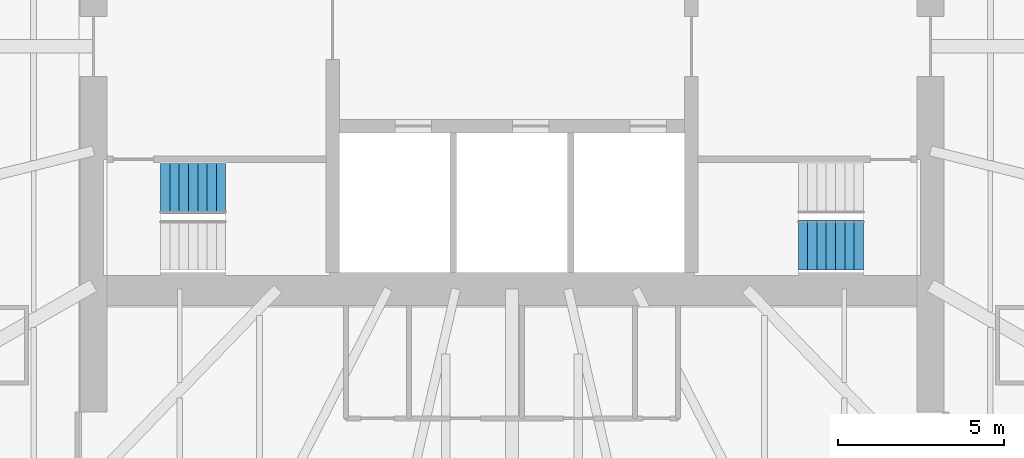
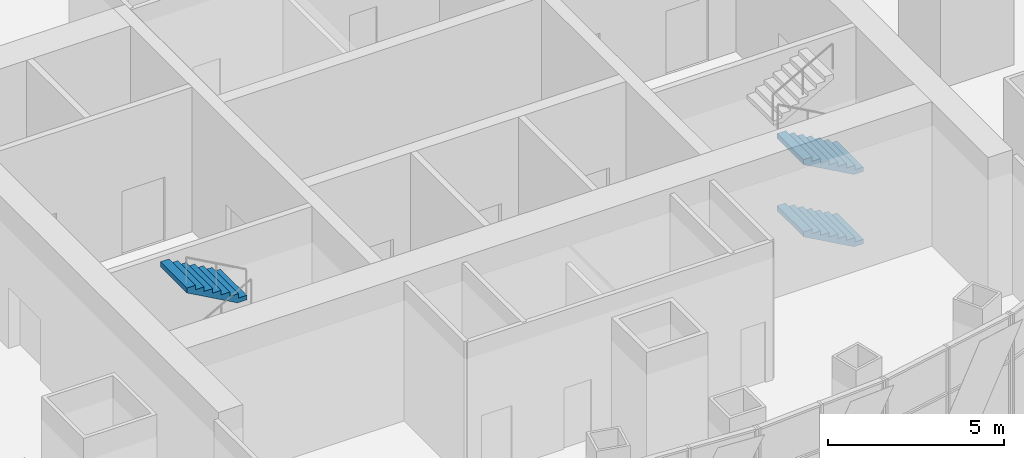
# One storey, part 15 of 17: 3 stair flights, 2 elements without a shape of their own.
"""IFC4 building model written with IfcOpenShell, lengths in metres."""

from ifc_helpers import new_model, si_unit, direction, frame, origin, place, context, subcontext, project, spatial, triangles, material, type_object, element, aggregate, save


model = new_model("IFC4")

# Units and contexts
model_context = context("Model", 3, precision=1e-05, world=origin(), true_north=direction((0.0, 1.0)))
body_context = subcontext(model_context, "Body", "Model", "MODEL_VIEW")
ifc_project = project(units=[si_unit("LENGTHUNIT", "METRE"), si_unit("AREAUNIT", "SQUARE_METRE"), si_unit("VOLUMEUNIT", "CUBIC_METRE"), si_unit("PLANEANGLEUNIT", "RADIAN"), si_unit("MASSUNIT", "GRAM", prefix="KILO")], contexts=[model_context])

# Site, building, storey
site_placement = place(None, origin())
site = spatial("IfcSite", under=ifc_project, at=site_placement, CompositionType="ELEMENT")
building_placement = place(site_placement, origin())
building = spatial("IfcBuilding", under=site, at=building_placement, Name="Lantaw Convention Tower", CompositionType="ELEMENT")
storey_placement = place(building_placement, frame((0.0, 0.0, 279.39990234375)))
storey = spatial("IfcBuildingStorey", under=building, at=storey_placement, Name="L65", CompositionType="ELEMENT", Elevation=279.39990234375)

# Stair, stair flight
ifc_material = material(Name="Concrete C35/45", Category="concrete")
stair_type = type_object("IfcStairType", Name="Exit stair 1500 riser 156.25 in 4 flights", PredefinedType="HALF_TURN_STAIR", material=ifc_material)
stair_1_placement = place(storey_placement, origin())
stair_1 = element("IfcStair", 1, at=stair_1_placement, inside=storey, type_object=stair_type, Name="Exit stair S1 L65", PredefinedType="HALF_TURN_STAIR")
stair_flight_type = type_object("IfcStairFlightType", Name="Stair flight 1500 riser 156.25", PredefinedType="STRAIGHT", material=ifc_material)
stair_flight_1_placement = place(storey_placement, frame((-8.6201171875, -4.280029296875, 3.75), z_axis=(0.0, 0.0, 1.0), x_axis=(-1.0, 0.0, 0.0)))
stair_flight_1 = element("IfcStairFlight", 2, at=stair_flight_1_placement, type_object=stair_flight_type, Name="S1 flight 4", NumberOfRisers=8, NumberOfTreads=7, PredefinedType="STRAIGHT", RiserHeight=0.15625, TreadLength=0.28, context=body_context, shape_type="Tessellation", body=[
    triangles([(0.0, 0.75, 0.0), (0.0, 0.75, 0.15625), (0.28, 0.75, 0.0), (0.28, 0.75, 0.15625), (0.28, 0.75, 0.3125), (0.3076200632058044, 0.75, 0.0), (0.3076200632058044, 0.75, 0.3125), (0.56, 0.75, 0.14083701830033238), (0.56, 0.75, 0.3125), (0.56, 0.75, 0.46875), (0.8400000000000001, 0.75, 0.29708701830033235), (0.8400000000000001, 0.75, 0.46875), (0.8400000000000001, 0.75, 0.625), (1.12, 0.75, 0.45333701830033235), (1.12, 0.75, 0.625), (1.12, 0.75, 0.78125), (1.4000000000000001, 0.75, 0.6095870183003324), (1.4000000000000001, 0.75, 0.78125), (1.4000000000000001, 0.75, 0.9375), (1.6800000000000002, 0.75, 0.7658370183003324), (1.6800000000000002, 0.75, 0.9375), (1.6800000000000002, 0.75, 1.09375), (1.9600000000000002, 0.75, 0.9220870183003324), (1.9600000000000002, 0.75, 1.09375), (0.0, -0.75, 0.0), (0.0, -0.75, 0.15625), (0.28, -0.75, 0.0), (0.28, -0.75, 0.15625), (0.28, -0.75, 0.3125), (0.3076200632058044, -0.75, 0.0), (0.3076200632058044, -0.75, 0.3125), (0.56, -0.75, 0.14083701830033238), (0.56, -0.75, 0.3125), (0.56, -0.75, 0.46875), (0.8400000000000001, -0.75, 0.29708701830033235), (0.8400000000000001, -0.75, 0.46875), (0.8400000000000001, -0.75, 0.625), (1.12, -0.75, 0.45333701830033235), (1.12, -0.75, 0.625), (1.12, -0.75, 0.78125), (1.4000000000000001, -0.75, 0.6095870183003324), (1.4000000000000001, -0.75, 0.78125), (1.4000000000000001, -0.75, 0.9375), (1.6800000000000002, -0.75, 0.7658370183003324), (1.6800000000000002, -0.75, 0.9375), (1.6800000000000002, -0.75, 1.09375), (1.9600000000000002, -0.75, 0.9220870183003324), (1.9600000000000002, -0.75, 1.09375), (0.0, 0.15000000000000002, 0.15625), (0.0, 0.15000000000000002, 0.0), (0.0, 0.0, 0.15625), (0.0, 0.0, 0.0), (0.0, -0.15000000000000002, 0.15625), (0.0, -0.15000000000000002, 0.0), (0.28, 0.15000000000000002, 0.3125), (0.28, 0.15000000000000002, 0.15625), (0.28, 0.0, 0.3125), (0.28, 0.0, 0.15625), (0.28, -0.15000000000000002, 0.3125), (0.28, -0.15000000000000002, 0.15625), (0.56, 0.15000000000000002, 0.46875), (0.56, 0.15000000000000002, 0.3125), (0.56, 0.0, 0.46875), (0.56, 0.0, 0.3125), (0.56, -0.15000000000000002, 0.46875), (0.56, -0.15000000000000002, 0.3125), (0.8400000000000001, 0.15000000000000002, 0.625), (0.8400000000000001, 0.15000000000000002, 0.46875), (0.8400000000000001, 0.0, 0.625), (0.8400000000000001, 0.0, 0.46875), (0.8400000000000001, -0.15000000000000002, 0.625), (0.8400000000000001, -0.15000000000000002, 0.46875), (1.12, 0.15000000000000002, 0.78125), (1.12, 0.15000000000000002, 0.625), (1.12, 0.0, 0.78125), (1.12, 0.0, 0.625), (1.12, -0.15000000000000002, 0.78125), (1.12, -0.15000000000000002, 0.625), (1.4000000000000001, 0.15000000000000002, 0.9375), (1.4000000000000001, 0.15000000000000002, 0.78125), (1.4000000000000001, 0.0, 0.9375), (1.4000000000000001, 0.0, 0.78125), (1.4000000000000001, -0.15000000000000002, 0.9375), (1.4000000000000001, -0.15000000000000002, 0.78125), (1.6800000000000002, 0.15000000000000002, 1.09375), (1.6800000000000002, 0.15000000000000002, 0.9375), (1.6800000000000002, 0.0, 1.09375), (1.6800000000000002, 0.0, 0.9375), (1.6800000000000002, -0.15000000000000002, 1.09375), (1.6800000000000002, -0.15000000000000002, 0.9375), (0.3076200632058044, 0.15000000000000002, 0.3125), (0.3076200632058044, 0.0, 0.3125), (0.3076200632058044, -0.15000000000000002, 0.3125), (1.9600000000000002, 0.15000000000000002, 1.09375), (1.9600000000000002, 0.0, 1.09375), (1.9600000000000002, -0.15000000000000002, 1.09375), (1.9600000000000002, 0.15000000000000002, 0.9220870183003324), (1.9600000000000002, 0.0, 0.9220870183003324), (1.9600000000000002, -0.15000000000000002, 0.9220870183003324), (1.6800000000000002, 0.15000000000000002, 0.7658370183003324), (1.6800000000000002, 0.0, 0.7658370183003324), (1.6800000000000002, -0.15000000000000002, 0.7658370183003324), (1.4000000000000001, 0.15000000000000002, 0.6095870183003324), (1.4000000000000001, 0.0, 0.6095870183003324), (1.4000000000000001, -0.15000000000000002, 0.6095870183003324), (1.12, 0.15000000000000002, 0.45333701830033235), (1.12, 0.0, 0.45333701830033235), (1.12, -0.15000000000000002, 0.45333701830033235), (0.8400000000000001, 0.15000000000000002, 0.29708701830033235), (0.8400000000000001, 0.0, 0.29708701830033235), (0.8400000000000001, -0.15000000000000002, 0.29708701830033235), (0.56, 0.15000000000000002, 0.14083701830033238), (0.56, 0.0, 0.14083701830033238), (0.56, -0.15000000000000002, 0.14083701830033238), (0.3076200632058044, 0.15000000000000002, 0.0), (0.3076200632058044, 0.0, 0.0), (0.3076200632058044, -0.15000000000000002, 0.0), (0.28, 0.15000000000000002, 0.0), (0.28, 0.0, 0.0), (0.28, -0.15000000000000002, 0.0)], [[1, 4, 3], [1, 2, 4], [3, 4, 6], [4, 7, 6], [4, 5, 7], [6, 9, 8], [6, 7, 9], [8, 9, 11], [9, 12, 11], [9, 10, 12], [11, 12, 14], [12, 15, 14], [12, 13, 15], [14, 15, 17], [15, 18, 17], [15, 16, 18], [17, 18, 20], [18, 21, 20], [18, 19, 21], [20, 21, 23], [21, 24, 23], [21, 22, 24], [25, 27, 28], [25, 28, 26], [27, 30, 28], [28, 30, 31], [28, 31, 29], [30, 32, 33], [30, 33, 31], [32, 35, 33], [33, 35, 36], [33, 36, 34], [35, 38, 36], [36, 38, 39], [36, 39, 37], [38, 41, 39], [39, 41, 42], [39, 42, 40], [41, 44, 42], [42, 44, 45], [42, 45, 43], [44, 47, 45], [45, 47, 48], [45, 48, 46], [1, 49, 2], [1, 50, 49], [50, 51, 49], [50, 52, 51], [52, 53, 51], [52, 54, 53], [54, 26, 53], [54, 25, 26], [4, 55, 5], [4, 56, 55], [56, 57, 55], [56, 58, 57], [58, 59, 57], [58, 60, 59], [60, 29, 59], [60, 28, 29], [9, 61, 10], [9, 62, 61], [62, 63, 61], [62, 64, 63], [64, 65, 63], [64, 66, 65], [66, 34, 65], [66, 33, 34], [12, 67, 13], [12, 68, 67], [68, 69, 67], [68, 70, 69], [70, 71, 69], [70, 72, 71], [72, 37, 71], [72, 36, 37], [15, 73, 16], [15, 74, 73], [74, 75, 73], [74, 76, 75], [76, 77, 75], [76, 78, 77], [78, 40, 77], [78, 39, 40], [18, 79, 19], [18, 80, 79], [80, 81, 79], [80, 82, 81], [82, 83, 81], [82, 84, 83], [84, 43, 83], [84, 42, 43], [21, 85, 22], [21, 86, 85], [86, 87, 85], [86, 88, 87], [88, 89, 87], [88, 90, 89], [90, 46, 89], [90, 45, 46], [2, 56, 4], [2, 49, 56], [49, 58, 56], [49, 51, 58], [51, 60, 58], [51, 53, 60], [53, 28, 60], [53, 26, 28], [5, 91, 7], [5, 55, 91], [55, 92, 91], [55, 57, 92], [57, 93, 92], [57, 59, 93], [59, 31, 93], [59, 29, 31], [7, 62, 9], [7, 91, 62], [91, 64, 62], [91, 92, 64], [92, 66, 64], [92, 93, 66], [93, 33, 66], [93, 31, 33], [10, 68, 12], [10, 61, 68], [61, 70, 68], [61, 63, 70], [63, 72, 70], [63, 65, 72], [65, 36, 72], [65, 34, 36], [13, 74, 15], [13, 67, 74], [67, 76, 74], [67, 69, 76], [69, 78, 76], [69, 71, 78], [71, 39, 78], [71, 37, 39], [16, 80, 18], [16, 73, 80], [73, 82, 80], [73, 75, 82], [75, 84, 82], [75, 77, 84], [77, 42, 84], [77, 40, 42], [19, 86, 21], [19, 79, 86], [79, 88, 86], [79, 81, 88], [81, 90, 88], [81, 83, 90], [83, 45, 90], [83, 43, 45], [22, 94, 24], [22, 85, 94], [85, 95, 94], [85, 87, 95], [87, 96, 95], [87, 89, 96], [89, 48, 96], [89, 46, 48], [24, 97, 23], [24, 94, 97], [94, 98, 97], [94, 95, 98], [95, 99, 98], [95, 96, 99], [96, 47, 99], [96, 48, 47], [23, 100, 20], [23, 97, 100], [97, 101, 100], [97, 98, 101], [98, 102, 101], [98, 99, 102], [99, 44, 102], [99, 47, 44], [20, 103, 17], [20, 100, 103], [100, 104, 103], [100, 101, 104], [101, 105, 104], [101, 102, 105], [102, 41, 105], [102, 44, 41], [17, 106, 14], [17, 103, 106], [103, 107, 106], [103, 104, 107], [104, 108, 107], [104, 105, 108], [105, 38, 108], [105, 41, 38], [14, 109, 11], [14, 106, 109], [106, 110, 109], [106, 107, 110], [107, 111, 110], [107, 108, 111], [108, 35, 111], [108, 38, 35], [11, 112, 8], [11, 109, 112], [109, 113, 112], [109, 110, 113], [110, 114, 113], [110, 111, 114], [111, 32, 114], [111, 35, 32], [8, 115, 6], [8, 112, 115], [112, 116, 115], [112, 113, 116], [113, 117, 116], [113, 114, 117], [114, 30, 117], [114, 32, 30], [6, 118, 3], [6, 115, 118], [115, 119, 118], [115, 116, 119], [116, 120, 119], [116, 117, 120], [117, 27, 120], [117, 30, 27], [3, 50, 1], [3, 118, 50], [118, 52, 50], [118, 119, 52], [119, 54, 52], [119, 120, 54], [120, 25, 54], [120, 27, 25]], closed=True),
])
aggregate(stair_1, [stair_flight_1])

# Stair, stair flights
stair_2_placement = place(storey_placement, origin())
stair_2 = element("IfcStair", 3, at=stair_2_placement, inside=storey, type_object=stair_type, Name="Exit stair S2 L65", PredefinedType="HALF_TURN_STAIR")
stair_flight_2_placement = place(storey_placement, frame((10.580078125, -5.97998046875, 0.0), z_axis=(0.0, 0.0, 1.0), x_axis=(-1.0, 0.0, 0.0)))
stair_flight_2 = element("IfcStairFlight", 4, at=stair_flight_2_placement, type_object=stair_flight_type, Name="S2 flight 1", NumberOfRisers=8, NumberOfTreads=7, PredefinedType="STRAIGHT", RiserHeight=0.15625, TreadLength=0.28, context=body_context, shape_type="Tessellation", body=[
    triangles([(0.0, 0.75, 0.0), (0.0, 0.75, 0.15625), (0.28, 0.75, 0.0), (0.28, 0.75, 0.15625), (0.28, 0.75, 0.3125), (0.3076200632058044, 0.75, 0.0), (0.3076200632058044, 0.75, 0.3125), (0.56, 0.75, 0.14083701830033238), (0.56, 0.75, 0.3125), (0.56, 0.75, 0.46875), (0.8400000000000001, 0.75, 0.29708701830033235), (0.8400000000000001, 0.75, 0.46875), (0.8400000000000001, 0.75, 0.625), (1.12, 0.75, 0.45333701830033235), (1.12, 0.75, 0.625), (1.12, 0.75, 0.78125), (1.4000000000000001, 0.75, 0.6095870183003324), (1.4000000000000001, 0.75, 0.78125), (1.4000000000000001, 0.75, 0.9375), (1.6800000000000002, 0.75, 0.7658370183003324), (1.6800000000000002, 0.75, 0.9375), (1.6800000000000002, 0.75, 1.09375), (1.9600000000000002, 0.75, 0.9220870183003324), (1.9600000000000002, 0.75, 1.09375), (0.0, -0.75, 0.0), (0.0, -0.75, 0.15625), (0.28, -0.75, 0.0), (0.28, -0.75, 0.15625), (0.28, -0.75, 0.3125), (0.3076200632058044, -0.75, 0.0), (0.3076200632058044, -0.75, 0.3125), (0.56, -0.75, 0.14083701830033238), (0.56, -0.75, 0.3125), (0.56, -0.75, 0.46875), (0.8400000000000001, -0.75, 0.29708701830033235), (0.8400000000000001, -0.75, 0.46875), (0.8400000000000001, -0.75, 0.625), (1.12, -0.75, 0.45333701830033235), (1.12, -0.75, 0.625), (1.12, -0.75, 0.78125), (1.4000000000000001, -0.75, 0.6095870183003324), (1.4000000000000001, -0.75, 0.78125), (1.4000000000000001, -0.75, 0.9375), (1.6800000000000002, -0.75, 0.7658370183003324), (1.6800000000000002, -0.75, 0.9375), (1.6800000000000002, -0.75, 1.09375), (1.9600000000000002, -0.75, 0.9220870183003324), (1.9600000000000002, -0.75, 1.09375), (0.0, 0.15000000000000002, 0.15625), (0.0, 0.15000000000000002, 0.0), (0.0, 0.0, 0.15625), (0.0, 0.0, 0.0), (0.0, -0.15000000000000002, 0.15625), (0.0, -0.15000000000000002, 0.0), (0.28, 0.15000000000000002, 0.3125), (0.28, 0.15000000000000002, 0.15625), (0.28, 0.0, 0.3125), (0.28, 0.0, 0.15625), (0.28, -0.15000000000000002, 0.3125), (0.28, -0.15000000000000002, 0.15625), (0.56, 0.15000000000000002, 0.46875), (0.56, 0.15000000000000002, 0.3125), (0.56, 0.0, 0.46875), (0.56, 0.0, 0.3125), (0.56, -0.15000000000000002, 0.46875), (0.56, -0.15000000000000002, 0.3125), (0.8400000000000001, 0.15000000000000002, 0.625), (0.8400000000000001, 0.15000000000000002, 0.46875), (0.8400000000000001, 0.0, 0.625), (0.8400000000000001, 0.0, 0.46875), (0.8400000000000001, -0.15000000000000002, 0.625), (0.8400000000000001, -0.15000000000000002, 0.46875), (1.12, 0.15000000000000002, 0.78125), (1.12, 0.15000000000000002, 0.625), (1.12, 0.0, 0.78125), (1.12, 0.0, 0.625), (1.12, -0.15000000000000002, 0.78125), (1.12, -0.15000000000000002, 0.625), (1.4000000000000001, 0.15000000000000002, 0.9375), (1.4000000000000001, 0.15000000000000002, 0.78125), (1.4000000000000001, 0.0, 0.9375), (1.4000000000000001, 0.0, 0.78125), (1.4000000000000001, -0.15000000000000002, 0.9375), (1.4000000000000001, -0.15000000000000002, 0.78125), (1.6800000000000002, 0.15000000000000002, 1.09375), (1.6800000000000002, 0.15000000000000002, 0.9375), (1.6800000000000002, 0.0, 1.09375), (1.6800000000000002, 0.0, 0.9375), (1.6800000000000002, -0.15000000000000002, 1.09375), (1.6800000000000002, -0.15000000000000002, 0.9375), (0.3076200632058044, 0.15000000000000002, 0.3125), (0.3076200632058044, 0.0, 0.3125), (0.3076200632058044, -0.15000000000000002, 0.3125), (1.9600000000000002, 0.15000000000000002, 1.09375), (1.9600000000000002, 0.0, 1.09375), (1.9600000000000002, -0.15000000000000002, 1.09375), (1.9600000000000002, 0.15000000000000002, 0.9220870183003324), (1.9600000000000002, 0.0, 0.9220870183003324), (1.9600000000000002, -0.15000000000000002, 0.9220870183003324), (1.6800000000000002, 0.15000000000000002, 0.7658370183003324), (1.6800000000000002, 0.0, 0.7658370183003324), (1.6800000000000002, -0.15000000000000002, 0.7658370183003324), (1.4000000000000001, 0.15000000000000002, 0.6095870183003324), (1.4000000000000001, 0.0, 0.6095870183003324), (1.4000000000000001, -0.15000000000000002, 0.6095870183003324), (1.12, 0.15000000000000002, 0.45333701830033235), (1.12, 0.0, 0.45333701830033235), (1.12, -0.15000000000000002, 0.45333701830033235), (0.8400000000000001, 0.15000000000000002, 0.29708701830033235), (0.8400000000000001, 0.0, 0.29708701830033235), (0.8400000000000001, -0.15000000000000002, 0.29708701830033235), (0.56, 0.15000000000000002, 0.14083701830033238), (0.56, 0.0, 0.14083701830033238), (0.56, -0.15000000000000002, 0.14083701830033238), (0.3076200632058044, 0.15000000000000002, 0.0), (0.3076200632058044, 0.0, 0.0), (0.3076200632058044, -0.15000000000000002, 0.0), (0.28, 0.15000000000000002, 0.0), (0.28, 0.0, 0.0), (0.28, -0.15000000000000002, 0.0)], [[1, 4, 3], [1, 2, 4], [3, 4, 6], [4, 7, 6], [4, 5, 7], [6, 9, 8], [6, 7, 9], [8, 9, 11], [9, 12, 11], [9, 10, 12], [11, 12, 14], [12, 15, 14], [12, 13, 15], [14, 15, 17], [15, 18, 17], [15, 16, 18], [17, 18, 20], [18, 21, 20], [18, 19, 21], [20, 21, 23], [21, 24, 23], [21, 22, 24], [25, 27, 28], [25, 28, 26], [27, 30, 28], [28, 30, 31], [28, 31, 29], [30, 32, 33], [30, 33, 31], [32, 35, 33], [33, 35, 36], [33, 36, 34], [35, 38, 36], [36, 38, 39], [36, 39, 37], [38, 41, 39], [39, 41, 42], [39, 42, 40], [41, 44, 42], [42, 44, 45], [42, 45, 43], [44, 47, 45], [45, 47, 48], [45, 48, 46], [1, 49, 2], [1, 50, 49], [50, 51, 49], [50, 52, 51], [52, 53, 51], [52, 54, 53], [54, 26, 53], [54, 25, 26], [4, 55, 5], [4, 56, 55], [56, 57, 55], [56, 58, 57], [58, 59, 57], [58, 60, 59], [60, 29, 59], [60, 28, 29], [9, 61, 10], [9, 62, 61], [62, 63, 61], [62, 64, 63], [64, 65, 63], [64, 66, 65], [66, 34, 65], [66, 33, 34], [12, 67, 13], [12, 68, 67], [68, 69, 67], [68, 70, 69], [70, 71, 69], [70, 72, 71], [72, 37, 71], [72, 36, 37], [15, 73, 16], [15, 74, 73], [74, 75, 73], [74, 76, 75], [76, 77, 75], [76, 78, 77], [78, 40, 77], [78, 39, 40], [18, 79, 19], [18, 80, 79], [80, 81, 79], [80, 82, 81], [82, 83, 81], [82, 84, 83], [84, 43, 83], [84, 42, 43], [21, 85, 22], [21, 86, 85], [86, 87, 85], [86, 88, 87], [88, 89, 87], [88, 90, 89], [90, 46, 89], [90, 45, 46], [2, 56, 4], [2, 49, 56], [49, 58, 56], [49, 51, 58], [51, 60, 58], [51, 53, 60], [53, 28, 60], [53, 26, 28], [5, 91, 7], [5, 55, 91], [55, 92, 91], [55, 57, 92], [57, 93, 92], [57, 59, 93], [59, 31, 93], [59, 29, 31], [7, 62, 9], [7, 91, 62], [91, 64, 62], [91, 92, 64], [92, 66, 64], [92, 93, 66], [93, 33, 66], [93, 31, 33], [10, 68, 12], [10, 61, 68], [61, 70, 68], [61, 63, 70], [63, 72, 70], [63, 65, 72], [65, 36, 72], [65, 34, 36], [13, 74, 15], [13, 67, 74], [67, 76, 74], [67, 69, 76], [69, 78, 76], [69, 71, 78], [71, 39, 78], [71, 37, 39], [16, 80, 18], [16, 73, 80], [73, 82, 80], [73, 75, 82], [75, 84, 82], [75, 77, 84], [77, 42, 84], [77, 40, 42], [19, 86, 21], [19, 79, 86], [79, 88, 86], [79, 81, 88], [81, 90, 88], [81, 83, 90], [83, 45, 90], [83, 43, 45], [22, 94, 24], [22, 85, 94], [85, 95, 94], [85, 87, 95], [87, 96, 95], [87, 89, 96], [89, 48, 96], [89, 46, 48], [24, 97, 23], [24, 94, 97], [94, 98, 97], [94, 95, 98], [95, 99, 98], [95, 96, 99], [96, 47, 99], [96, 48, 47], [23, 100, 20], [23, 97, 100], [97, 101, 100], [97, 98, 101], [98, 102, 101], [98, 99, 102], [99, 44, 102], [99, 47, 44], [20, 103, 17], [20, 100, 103], [100, 104, 103], [100, 101, 104], [101, 105, 104], [101, 102, 105], [102, 41, 105], [102, 44, 41], [17, 106, 14], [17, 103, 106], [103, 107, 106], [103, 104, 107], [104, 108, 107], [104, 105, 108], [105, 38, 108], [105, 41, 38], [14, 109, 11], [14, 106, 109], [106, 110, 109], [106, 107, 110], [107, 111, 110], [107, 108, 111], [108, 35, 111], [108, 38, 35], [11, 112, 8], [11, 109, 112], [109, 113, 112], [109, 110, 113], [110, 114, 113], [110, 111, 114], [111, 32, 114], [111, 35, 32], [8, 115, 6], [8, 112, 115], [112, 116, 115], [112, 113, 116], [113, 117, 116], [113, 114, 117], [114, 30, 117], [114, 32, 30], [6, 118, 3], [6, 115, 118], [115, 119, 118], [115, 116, 119], [116, 120, 119], [116, 117, 120], [117, 27, 120], [117, 30, 27], [3, 50, 1], [3, 118, 50], [118, 52, 50], [118, 119, 52], [119, 54, 52], [119, 120, 54], [120, 25, 54], [120, 27, 25]], closed=True),
])
stair_flight_3_placement = place(storey_placement, frame((10.580078125, -5.97998046875, 2.5), z_axis=(0.0, 0.0, 1.0), x_axis=(-1.0, 0.0, 0.0)))
stair_flight_3 = element("IfcStairFlight", 5, at=stair_flight_3_placement, type_object=stair_flight_type, Name="S2 flight 3", NumberOfRisers=8, NumberOfTreads=7, PredefinedType="STRAIGHT", RiserHeight=0.15625, TreadLength=0.28, context=body_context, shape_type="Tessellation", body=[
    triangles([(0.0, 0.75, 0.0), (0.0, 0.75, 0.15625), (0.28, 0.75, 0.0), (0.28, 0.75, 0.15625), (0.28, 0.75, 0.3125), (0.3076200632058044, 0.75, 0.0), (0.3076200632058044, 0.75, 0.3125), (0.56, 0.75, 0.14083701830033238), (0.56, 0.75, 0.3125), (0.56, 0.75, 0.46875), (0.8400000000000001, 0.75, 0.29708701830033235), (0.8400000000000001, 0.75, 0.46875), (0.8400000000000001, 0.75, 0.625), (1.12, 0.75, 0.45333701830033235), (1.12, 0.75, 0.625), (1.12, 0.75, 0.78125), (1.4000000000000001, 0.75, 0.6095870183003324), (1.4000000000000001, 0.75, 0.78125), (1.4000000000000001, 0.75, 0.9375), (1.6800000000000002, 0.75, 0.7658370183003324), (1.6800000000000002, 0.75, 0.9375), (1.6800000000000002, 0.75, 1.09375), (1.9600000000000002, 0.75, 0.9220870183003324), (1.9600000000000002, 0.75, 1.09375), (0.0, -0.75, 0.0), (0.0, -0.75, 0.15625), (0.28, -0.75, 0.0), (0.28, -0.75, 0.15625), (0.28, -0.75, 0.3125), (0.3076200632058044, -0.75, 0.0), (0.3076200632058044, -0.75, 0.3125), (0.56, -0.75, 0.14083701830033238), (0.56, -0.75, 0.3125), (0.56, -0.75, 0.46875), (0.8400000000000001, -0.75, 0.29708701830033235), (0.8400000000000001, -0.75, 0.46875), (0.8400000000000001, -0.75, 0.625), (1.12, -0.75, 0.45333701830033235), (1.12, -0.75, 0.625), (1.12, -0.75, 0.78125), (1.4000000000000001, -0.75, 0.6095870183003324), (1.4000000000000001, -0.75, 0.78125), (1.4000000000000001, -0.75, 0.9375), (1.6800000000000002, -0.75, 0.7658370183003324), (1.6800000000000002, -0.75, 0.9375), (1.6800000000000002, -0.75, 1.09375), (1.9600000000000002, -0.75, 0.9220870183003324), (1.9600000000000002, -0.75, 1.09375), (0.0, 0.15000000000000002, 0.15625), (0.0, 0.15000000000000002, 0.0), (0.0, 0.0, 0.15625), (0.0, 0.0, 0.0), (0.0, -0.15000000000000002, 0.15625), (0.0, -0.15000000000000002, 0.0), (0.28, 0.15000000000000002, 0.3125), (0.28, 0.15000000000000002, 0.15625), (0.28, 0.0, 0.3125), (0.28, 0.0, 0.15625), (0.28, -0.15000000000000002, 0.3125), (0.28, -0.15000000000000002, 0.15625), (0.56, 0.15000000000000002, 0.46875), (0.56, 0.15000000000000002, 0.3125), (0.56, 0.0, 0.46875), (0.56, 0.0, 0.3125), (0.56, -0.15000000000000002, 0.46875), (0.56, -0.15000000000000002, 0.3125), (0.8400000000000001, 0.15000000000000002, 0.625), (0.8400000000000001, 0.15000000000000002, 0.46875), (0.8400000000000001, 0.0, 0.625), (0.8400000000000001, 0.0, 0.46875), (0.8400000000000001, -0.15000000000000002, 0.625), (0.8400000000000001, -0.15000000000000002, 0.46875), (1.12, 0.15000000000000002, 0.78125), (1.12, 0.15000000000000002, 0.625), (1.12, 0.0, 0.78125), (1.12, 0.0, 0.625), (1.12, -0.15000000000000002, 0.78125), (1.12, -0.15000000000000002, 0.625), (1.4000000000000001, 0.15000000000000002, 0.9375), (1.4000000000000001, 0.15000000000000002, 0.78125), (1.4000000000000001, 0.0, 0.9375), (1.4000000000000001, 0.0, 0.78125), (1.4000000000000001, -0.15000000000000002, 0.9375), (1.4000000000000001, -0.15000000000000002, 0.78125), (1.6800000000000002, 0.15000000000000002, 1.09375), (1.6800000000000002, 0.15000000000000002, 0.9375), (1.6800000000000002, 0.0, 1.09375), (1.6800000000000002, 0.0, 0.9375), (1.6800000000000002, -0.15000000000000002, 1.09375), (1.6800000000000002, -0.15000000000000002, 0.9375), (0.3076200632058044, 0.15000000000000002, 0.3125), (0.3076200632058044, 0.0, 0.3125), (0.3076200632058044, -0.15000000000000002, 0.3125), (1.9600000000000002, 0.15000000000000002, 1.09375), (1.9600000000000002, 0.0, 1.09375), (1.9600000000000002, -0.15000000000000002, 1.09375), (1.9600000000000002, 0.15000000000000002, 0.9220870183003324), (1.9600000000000002, 0.0, 0.9220870183003324), (1.9600000000000002, -0.15000000000000002, 0.9220870183003324), (1.6800000000000002, 0.15000000000000002, 0.7658370183003324), (1.6800000000000002, 0.0, 0.7658370183003324), (1.6800000000000002, -0.15000000000000002, 0.7658370183003324), (1.4000000000000001, 0.15000000000000002, 0.6095870183003324), (1.4000000000000001, 0.0, 0.6095870183003324), (1.4000000000000001, -0.15000000000000002, 0.6095870183003324), (1.12, 0.15000000000000002, 0.45333701830033235), (1.12, 0.0, 0.45333701830033235), (1.12, -0.15000000000000002, 0.45333701830033235), (0.8400000000000001, 0.15000000000000002, 0.29708701830033235), (0.8400000000000001, 0.0, 0.29708701830033235), (0.8400000000000001, -0.15000000000000002, 0.29708701830033235), (0.56, 0.15000000000000002, 0.14083701830033238), (0.56, 0.0, 0.14083701830033238), (0.56, -0.15000000000000002, 0.14083701830033238), (0.3076200632058044, 0.15000000000000002, 0.0), (0.3076200632058044, 0.0, 0.0), (0.3076200632058044, -0.15000000000000002, 0.0), (0.28, 0.15000000000000002, 0.0), (0.28, 0.0, 0.0), (0.28, -0.15000000000000002, 0.0)], [[1, 4, 3], [1, 2, 4], [3, 4, 6], [4, 7, 6], [4, 5, 7], [6, 9, 8], [6, 7, 9], [8, 9, 11], [9, 12, 11], [9, 10, 12], [11, 12, 14], [12, 15, 14], [12, 13, 15], [14, 15, 17], [15, 18, 17], [15, 16, 18], [17, 18, 20], [18, 21, 20], [18, 19, 21], [20, 21, 23], [21, 24, 23], [21, 22, 24], [25, 27, 28], [25, 28, 26], [27, 30, 28], [28, 30, 31], [28, 31, 29], [30, 32, 33], [30, 33, 31], [32, 35, 33], [33, 35, 36], [33, 36, 34], [35, 38, 36], [36, 38, 39], [36, 39, 37], [38, 41, 39], [39, 41, 42], [39, 42, 40], [41, 44, 42], [42, 44, 45], [42, 45, 43], [44, 47, 45], [45, 47, 48], [45, 48, 46], [1, 49, 2], [1, 50, 49], [50, 51, 49], [50, 52, 51], [52, 53, 51], [52, 54, 53], [54, 26, 53], [54, 25, 26], [4, 55, 5], [4, 56, 55], [56, 57, 55], [56, 58, 57], [58, 59, 57], [58, 60, 59], [60, 29, 59], [60, 28, 29], [9, 61, 10], [9, 62, 61], [62, 63, 61], [62, 64, 63], [64, 65, 63], [64, 66, 65], [66, 34, 65], [66, 33, 34], [12, 67, 13], [12, 68, 67], [68, 69, 67], [68, 70, 69], [70, 71, 69], [70, 72, 71], [72, 37, 71], [72, 36, 37], [15, 73, 16], [15, 74, 73], [74, 75, 73], [74, 76, 75], [76, 77, 75], [76, 78, 77], [78, 40, 77], [78, 39, 40], [18, 79, 19], [18, 80, 79], [80, 81, 79], [80, 82, 81], [82, 83, 81], [82, 84, 83], [84, 43, 83], [84, 42, 43], [21, 85, 22], [21, 86, 85], [86, 87, 85], [86, 88, 87], [88, 89, 87], [88, 90, 89], [90, 46, 89], [90, 45, 46], [2, 56, 4], [2, 49, 56], [49, 58, 56], [49, 51, 58], [51, 60, 58], [51, 53, 60], [53, 28, 60], [53, 26, 28], [5, 91, 7], [5, 55, 91], [55, 92, 91], [55, 57, 92], [57, 93, 92], [57, 59, 93], [59, 31, 93], [59, 29, 31], [7, 62, 9], [7, 91, 62], [91, 64, 62], [91, 92, 64], [92, 66, 64], [92, 93, 66], [93, 33, 66], [93, 31, 33], [10, 68, 12], [10, 61, 68], [61, 70, 68], [61, 63, 70], [63, 72, 70], [63, 65, 72], [65, 36, 72], [65, 34, 36], [13, 74, 15], [13, 67, 74], [67, 76, 74], [67, 69, 76], [69, 78, 76], [69, 71, 78], [71, 39, 78], [71, 37, 39], [16, 80, 18], [16, 73, 80], [73, 82, 80], [73, 75, 82], [75, 84, 82], [75, 77, 84], [77, 42, 84], [77, 40, 42], [19, 86, 21], [19, 79, 86], [79, 88, 86], [79, 81, 88], [81, 90, 88], [81, 83, 90], [83, 45, 90], [83, 43, 45], [22, 94, 24], [22, 85, 94], [85, 95, 94], [85, 87, 95], [87, 96, 95], [87, 89, 96], [89, 48, 96], [89, 46, 48], [24, 97, 23], [24, 94, 97], [94, 98, 97], [94, 95, 98], [95, 99, 98], [95, 96, 99], [96, 47, 99], [96, 48, 47], [23, 100, 20], [23, 97, 100], [97, 101, 100], [97, 98, 101], [98, 102, 101], [98, 99, 102], [99, 44, 102], [99, 47, 44], [20, 103, 17], [20, 100, 103], [100, 104, 103], [100, 101, 104], [101, 105, 104], [101, 102, 105], [102, 41, 105], [102, 44, 41], [17, 106, 14], [17, 103, 106], [103, 107, 106], [103, 104, 107], [104, 108, 107], [104, 105, 108], [105, 38, 108], [105, 41, 38], [14, 109, 11], [14, 106, 109], [106, 110, 109], [106, 107, 110], [107, 111, 110], [107, 108, 111], [108, 35, 111], [108, 38, 35], [11, 112, 8], [11, 109, 112], [109, 113, 112], [109, 110, 113], [110, 114, 113], [110, 111, 114], [111, 32, 114], [111, 35, 32], [8, 115, 6], [8, 112, 115], [112, 116, 115], [112, 113, 116], [113, 117, 116], [113, 114, 117], [114, 30, 117], [114, 32, 30], [6, 118, 3], [6, 115, 118], [115, 119, 118], [115, 116, 119], [116, 120, 119], [116, 117, 120], [117, 27, 120], [117, 30, 27], [3, 50, 1], [3, 118, 50], [118, 52, 50], [118, 119, 52], [119, 54, 52], [119, 120, 54], [120, 25, 54], [120, 27, 25]], closed=True),
])
aggregate(stair_2, [stair_flight_2, stair_flight_3])

save(model, "model.ifc")
